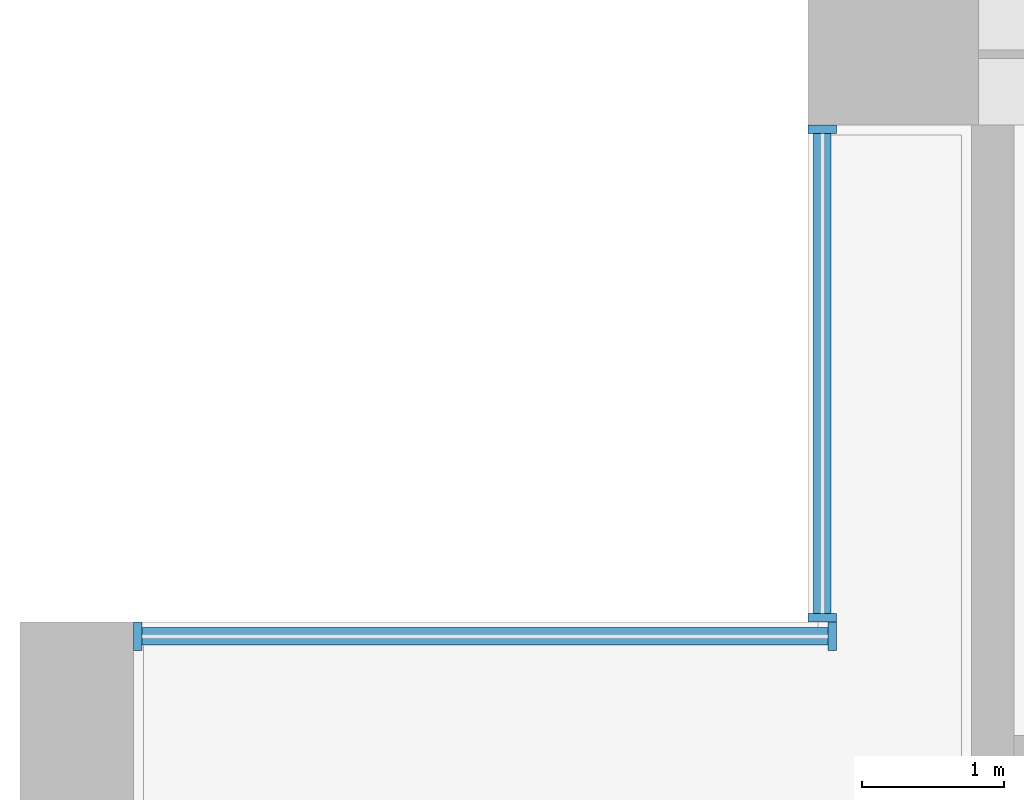
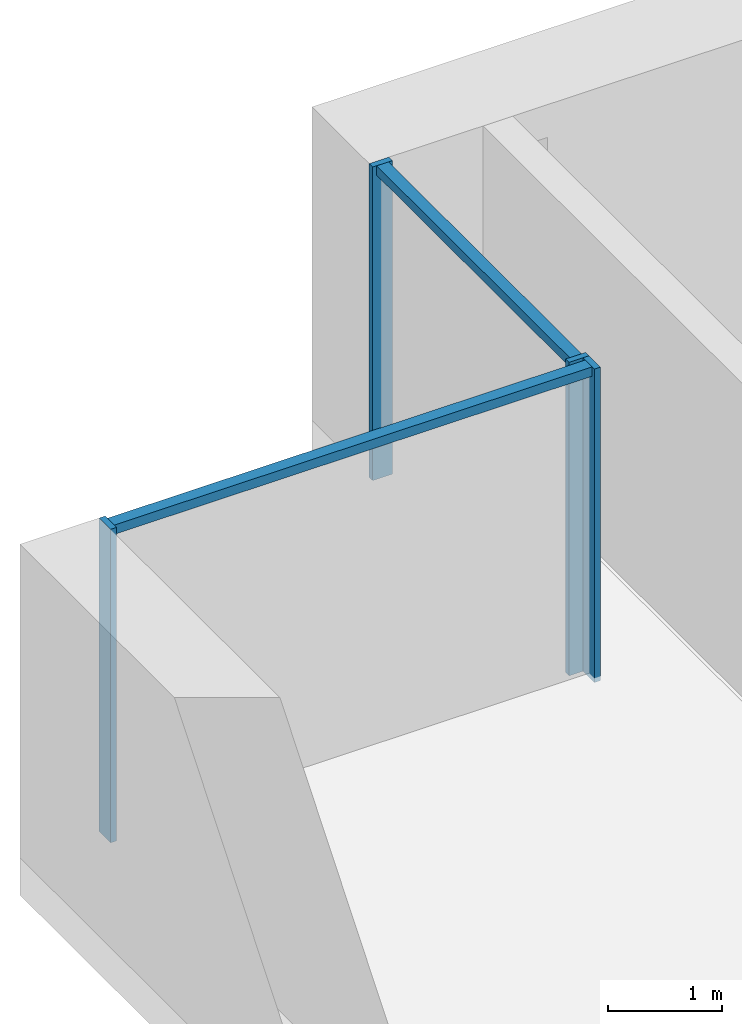
# One storey, part 4 of 18: 6 members, 2 elements without a shape of their own.
"""IFC4 building model written with IfcOpenShell, lengths in metres."""

from ifc_helpers import new_model, si_unit, direction, frame, origin, origin_2d, place, context, subcontext, project, spatial, rectangle, extrude, material, material_profile, profile_set, type_object, element, aggregate, save


model = new_model("IFC4")

# Units and contexts
model_context = context("Model", 3, precision=1e-05, world=origin(), true_north=direction((0.0, 1.0)))
body_context = subcontext(model_context, "Body", "Model", "MODEL_VIEW")
ifc_project = project(units=[si_unit("LENGTHUNIT", "METRE"), si_unit("AREAUNIT", "SQUARE_METRE"), si_unit("VOLUMEUNIT", "CUBIC_METRE"), si_unit("PLANEANGLEUNIT", "RADIAN"), si_unit("MASSUNIT", "GRAM", prefix="KILO")], contexts=[model_context])

# Site, building, storey
site_placement = place(None, origin())
site = spatial("IfcSite", under=ifc_project, at=site_placement, CompositionType="ELEMENT")
building_placement = place(site_placement, origin())
building = spatial("IfcBuilding", under=site, at=building_placement, Name="Calvaro Tower", CompositionType="ELEMENT")
storey_placement = place(building_placement, frame((0.0, 0.0, 52.5)))
storey = spatial("IfcBuildingStorey", under=building, at=storey_placement, Name="L12", CompositionType="ELEMENT", Elevation=52.5)

# Curtain wall, members
ifc_material_1 = material(Name="Anodised aluminium", Category="aluminium")
curtain_wall_type = type_object("IfcCurtainWallType", Name="Office curtain wall, lower zone", PredefinedType="NOTDEFINED", material=ifc_material_1)
curtain_wall_1_placement = place(storey_placement, origin())
curtain_wall_1 = element("IfcCurtainWall", 1, at=curtain_wall_1_placement, inside=storey, type_object=curtain_wall_type, Name="CW1 corner curtain wall", PredefinedType="NOTDEFINED")
ifc_material_2 = material(Name="Anodised aluminium", Category="aluminium")
ifc_material_profile_1 = material_profile(ifc_material_2, rectangle(XDim=0.199951171875, YDim=0.06005859375, at=origin_2d()), Name="Mullion S1 60 x 200")
ifc_profile_set_1 = profile_set([ifc_material_profile_1], Name="Anodised aluminium")
member_type_1 = type_object("IfcMemberType", Name="Mullion S1 60 x 200", PredefinedType="MULLION", material=ifc_profile_set_1)
member_1_placement = place(storey_placement, frame((5.64990234375, 41.530029296875, 0.0), z_axis=(0.0, 0.0, 1.0), x_axis=(-1.0, 0.0, 0.0)))
member_1 = element("IfcMember", 2, at=member_1_placement, type_object=member_type_1, Name="CW1 mullion 1", PredefinedType="MULLION", context=body_context, shape_type="SweptSolid", body=[
    extrude(rectangle(XDim=0.199951171875, YDim=0.06005859375, at=origin_2d()), origin(), (0.0, 0.0, 1.0), 3.35009765625),
])
member_2_placement = place(storey_placement, frame((5.64990234375, 44.969970703125, 0.0), z_axis=(0.0, 0.0, 1.0), x_axis=(-1.0, 0.0, 0.0)))
member_2 = element("IfcMember", 3, at=member_2_placement, type_object=member_type_1, Name="CW1 mullion 2", PredefinedType="MULLION", context=body_context, shape_type="SweptSolid", body=[
    extrude(rectangle(XDim=0.199951171875, YDim=0.06005859375, at=origin_2d()), origin(), (0.0, 0.0, 1.0), 3.35009765625),
])

curtain_wall_2_placement = place(storey_placement, origin())
curtain_wall_2 = element("IfcCurtainWall", 4, at=curtain_wall_2_placement, inside=storey, type_object=curtain_wall_type, Name="CW1 corner curtain wall", PredefinedType="NOTDEFINED")
member_3_placement = place(storey_placement, frame((0.830078125, 41.39990234375, 0.0), z_axis=(0.0, 0.0, 1.0), x_axis=(0.0, 1.0, 0.0)))
member_3 = element("IfcMember", 5, at=member_3_placement, type_object=member_type_1, Name="CW1 mullion 1", PredefinedType="MULLION", context=body_context, shape_type="SweptSolid", body=[
    extrude(rectangle(XDim=0.199951171875, YDim=0.06005859375, at=origin_2d()), origin(), (0.0, 0.0, 1.0), 3.35009765625),
])
member_4_placement = place(storey_placement, frame((5.719970703125, 41.39990234375, 0.0), z_axis=(0.0, 0.0, 1.0), x_axis=(0.0, 1.0, 0.0)))
member_4 = element("IfcMember", 6, at=member_4_placement, type_object=member_type_1, Name="CW1 mullion 2", PredefinedType="MULLION", context=body_context, shape_type="SweptSolid", body=[
    extrude(rectangle(XDim=0.199951171875, YDim=0.06005859375, at=origin_2d()), origin(), (0.0, 0.0, 1.0), 3.35009765625),
])

# Member
ifc_material_3 = material(Name="Anodised aluminium", Category="aluminium")
ifc_material_profile_2 = material_profile(ifc_material_3, rectangle(XDim=0.1201171875, YDim=0.10009765625, at=origin_2d()), Name="Transom S1 100 x 120")
ifc_profile_set_2 = profile_set([ifc_material_profile_2], Name="Anodised aluminium")
member_type_2 = type_object("IfcMemberType", Name="Transom S1 100 x 120", PredefinedType="USERDEFINED", material=ifc_profile_set_2)
member_5_placement = place(storey_placement, frame((5.64990234375, 41.56005859375, 3.300048828125), z_axis=(0.0, 1.0, 0.0), x_axis=(-1.0, 0.0, 0.0)))
member_5 = element("IfcMember", 7, at=member_5_placement, type_object=member_type_2, Name="CW1 transom 1.1", ObjectType="TRANSOM", PredefinedType="USERDEFINED", context=body_context, shape_type="SweptSolid", body=[
    extrude(rectangle(XDim=0.1201171875, YDim=0.10009765625, at=origin_2d()), origin(), (0.0, 0.0, 1.0), 3.3798828125),
])

aggregate(curtain_wall_1, [member_1, member_2, member_5])

member_6_placement = place(storey_placement, frame((0.860107421875, 41.39990234375, 3.300048828125), z_axis=(1.0, 0.0, 0.0), x_axis=(0.0, 1.0, 0.0)))
member_6 = element("IfcMember", 8, at=member_6_placement, type_object=member_type_2, Name="CW1 transom 1.1", ObjectType="TRANSOM", PredefinedType="USERDEFINED", context=body_context, shape_type="SweptSolid", body=[
    extrude(rectangle(XDim=0.1201171875, YDim=0.10009765625, at=origin_2d()), origin(), (0.0, 0.0, 1.0), 4.829833984375),
])

aggregate(curtain_wall_2, [member_3, member_4, member_6])

save(model, "model.ifc")
